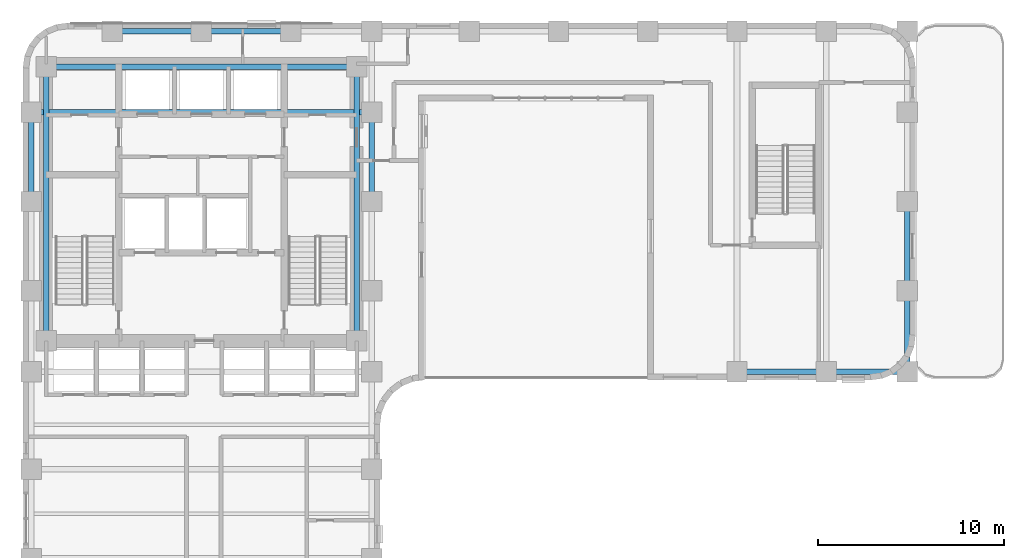
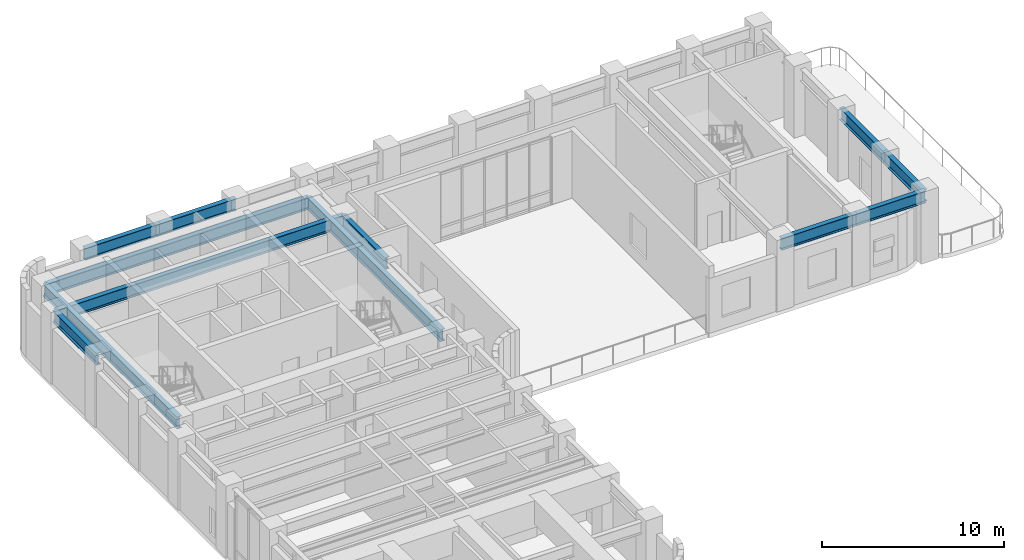
# One storey, part 3 of 12: 12 beams.
"""IFC4 building model written with IfcOpenShell, lengths in metres."""

from ifc_helpers import new_model, si_unit, direction, frame, origin, origin_2d, place, context, subcontext, project, spatial, i_section, extrude, material, material_profile, profile_set, type_object, element, save


model = new_model("IFC4")

# Units and contexts
model_context = context("Model", 3, precision=1e-05, world=origin(), true_north=direction((0.0, 1.0)))
body_context = subcontext(model_context, "Body", "Model", "MODEL_VIEW")
ifc_project = project(units=[si_unit("LENGTHUNIT", "METRE"), si_unit("AREAUNIT", "SQUARE_METRE"), si_unit("VOLUMEUNIT", "CUBIC_METRE"), si_unit("PLANEANGLEUNIT", "RADIAN"), si_unit("MASSUNIT", "GRAM", prefix="KILO")], contexts=[model_context])

# Site, building, storey
site_placement = place(None, origin())
site = spatial("IfcSite", under=ifc_project, at=site_placement, CompositionType="ELEMENT")
building_placement = place(site_placement, origin())
building = spatial("IfcBuilding", under=site, at=building_placement, Name="Orvandelia Arch Residences", CompositionType="ELEMENT")
storey_placement = place(building_placement, frame((0.0, 0.0, 97.0)))
storey = spatial("IfcBuildingStorey", under=building, at=storey_placement, Name="L25", CompositionType="ELEMENT", Elevation=97.0)

# Beams
ifc_material = material(Name="Structural Steel SM355 (355 MPa)", Category="steel")
ifc_material_profile = material_profile(ifc_material, i_section(OverallWidth=0.300048828125, OverallDepth=0.800048828125, WebThickness=0.013916015625, FlangeThickness=0.02587890625, FilletRadius=0.02587890625, at=origin_2d()), Name="Structural Steel SM355 (355 MPa)", Category="steel")
ifc_profile_set = profile_set([ifc_material_profile], Name="Structural Steel SM355 (355 MPa)")
beam_type = type_object("IfcBeamType", Name="BM-GRD-H800", PredefinedType="BEAM", material=ifc_profile_set)
beam_1_placement = place(storey_placement, frame((5.25, 38.39990234375, 4.10009765625), z_axis=(0.0, 1.0, 0.0), x_axis=(-1.0, 0.0, 0.0)))
element("IfcBeam", 1, at=beam_1_placement, inside=storey, type_object=beam_type, Name="Structural Frame Beam L25-NS-007", PredefinedType="BEAM", context=body_context, shape_type="SweptSolid", body=[
    extrude(i_section(OverallWidth=0.300048828125, OverallDepth=0.800048828125, WebThickness=0.013916015625, FlangeThickness=0.02587890625, FilletRadius=0.02587890625, at=origin_2d()), origin(), (0.0, 0.0, 1.0), 4.800048828125),
])
for number, where, z_axis, x_axis, name in (
    (2, (6.050048828125, 30.89990234375, 4.10009765625), (0.0, 1.0, 0.0), (-1.0, 0.0, 0.0), "Structural Frame Beam L25-NS-008"),
    (3, (22.75, 30.89990234375, 4.10009765625), (0.0, 1.0, 0.0), (-1.0, 0.0, 0.0), "Structural Frame Beam L25-NS-009"),
):
    element("IfcBeam", number, at=place(storey_placement, frame(where, z_axis=z_axis, x_axis=x_axis)), inside=storey, type_object=beam_type, Name=name, PredefinedType="BEAM", context=body_context, shape_type="SweptSolid", body=[
        extrude(i_section(OverallWidth=0.300048828125, OverallDepth=0.800048828125, WebThickness=0.013916015625, FlangeThickness=0.02587890625, FilletRadius=0.02587890625, at=origin_2d()), origin(), (0.0, 0.0, 1.0), 14.75),
    ])
beam_2_placement = place(storey_placement, frame((23.550048828125, 38.39990234375, 4.10009765625), z_axis=(0.0, 1.0, 0.0), x_axis=(-1.0, 0.0, 0.0)))
element("IfcBeam", 4, at=beam_2_placement, inside=storey, type_object=beam_type, Name="Structural Frame Beam L25-NS-016", PredefinedType="BEAM", context=body_context, shape_type="SweptSolid", body=[
    extrude(i_section(OverallWidth=0.300048828125, OverallDepth=0.800048828125, WebThickness=0.013916015625, FlangeThickness=0.02587890625, FilletRadius=0.02587890625, at=origin_2d()), origin(), (0.0, 0.0, 1.0), 4.800048828125),
])
beam_3_placement = place(storey_placement, frame((52.35009765625, 29.25, 4.10009765625), z_axis=(0.0, 1.0, 0.0), x_axis=(-1.0, 0.0, 0.0)))
element("IfcBeam", 5, at=beam_3_placement, inside=storey, type_object=beam_type, Name="Structural Frame Beam L25-NS-020", PredefinedType="BEAM", context=body_context, shape_type="SweptSolid", body=[
    extrude(i_section(OverallWidth=0.300048828125, OverallDepth=0.800048828125, WebThickness=0.013916015625, FlangeThickness=0.02587890625, FilletRadius=0.02587890625, at=origin_2d()), origin(), (0.0, 0.0, 1.0), 4.35009765625),
])
beam_4_placement = place(storey_placement, frame((52.35009765625, 33.60009765625, 4.10009765625), z_axis=(0.0, 1.0, 0.0), x_axis=(-1.0, 0.0, 0.0)))
element("IfcBeam", 6, at=beam_4_placement, inside=storey, type_object=beam_type, Name="Structural Frame Beam L25-NS-021", PredefinedType="BEAM", context=body_context, shape_type="SweptSolid", body=[
    extrude(i_section(OverallWidth=0.300048828125, OverallDepth=0.800048828125, WebThickness=0.013916015625, FlangeThickness=0.02587890625, FilletRadius=0.02587890625, at=origin_2d()), origin(), (0.0, 0.0, 1.0), 4.7998046875),
])
beam_5_placement = place(storey_placement, frame((43.199951171875, 29.25, 4.10009765625), z_axis=(1.0, 0.0, 0.0), x_axis=(0.0, 1.0, 0.0)))
element("IfcBeam", 7, at=beam_5_placement, inside=storey, type_object=beam_type, Name="Structural Frame Girder L25-EW-031", PredefinedType="BEAM", context=body_context, shape_type="SweptSolid", body=[
    extrude(i_section(OverallWidth=0.300048828125, OverallDepth=0.800048828125, WebThickness=0.013916015625, FlangeThickness=0.02587890625, FilletRadius=0.02587890625, at=origin_2d()), origin(), (0.0, 0.0, 1.0), 4.800048828125),
])
beam_6_placement = place(storey_placement, frame((48.0, 29.25, 4.10009765625), z_axis=(1.0, 0.0, 0.0), x_axis=(0.0, 1.0, 0.0)))
element("IfcBeam", 8, at=beam_6_placement, inside=storey, type_object=beam_type, Name="Structural Frame Girder L25-EW-032", PredefinedType="BEAM", context=body_context, shape_type="SweptSolid", body=[
    extrude(i_section(OverallWidth=0.300048828125, OverallDepth=0.800048828125, WebThickness=0.013916015625, FlangeThickness=0.02587890625, FilletRadius=0.02587890625, at=origin_2d()), origin(), (0.0, 0.0, 1.0), 4.35009765625),
])
beam_7_placement = place(storey_placement, frame((5.25, 43.199951171875, 4.10009765625), z_axis=(1.0, 0.0, 0.0), x_axis=(0.0, 1.0, 0.0)))
element("IfcBeam", 9, at=beam_7_placement, inside=storey, type_object=beam_type, Name="Structural Frame Girder L25-EW-036", PredefinedType="BEAM", context=body_context, shape_type="SweptSolid", body=[
    extrude(i_section(OverallWidth=0.300048828125, OverallDepth=0.800048828125, WebThickness=0.013916015625, FlangeThickness=0.02587890625, FilletRadius=0.02587890625, at=origin_2d()), origin(), (0.0, 0.0, 1.0), 18.300048828125),
])
beam_8_placement = place(storey_placement, frame((6.050048828125, 45.64990234375, 4.10009765625), z_axis=(1.0, 0.0, 0.0), x_axis=(0.0, 1.0, 0.0)))
element("IfcBeam", 10, at=beam_8_placement, inside=storey, type_object=beam_type, Name="Structural Frame Girder L25-EW-037", PredefinedType="BEAM", context=body_context, shape_type="SweptSolid", body=[
    extrude(i_section(OverallWidth=0.300048828125, OverallDepth=0.800048828125, WebThickness=0.013916015625, FlangeThickness=0.02587890625, FilletRadius=0.02587890625, at=origin_2d()), origin(), (0.0, 0.0, 1.0), 16.699951171875),
])
beam_9_placement = place(storey_placement, frame((9.60009765625, 47.550048828125, 4.10009765625), z_axis=(1.0, 0.0, 0.0), x_axis=(0.0, 1.0, 0.0)))
element("IfcBeam", 11, at=beam_9_placement, inside=storey, type_object=beam_type, Name="Structural Frame Girder L25-EW-038", PredefinedType="BEAM", context=body_context, shape_type="SweptSolid", body=[
    extrude(i_section(OverallWidth=0.300048828125, OverallDepth=0.800048828125, WebThickness=0.013916015625, FlangeThickness=0.02587890625, FilletRadius=0.02587890625, at=origin_2d()), origin(), (0.0, 0.0, 1.0), 4.7998046875),
])
beam_10_placement = place(storey_placement, frame((14.39990234375, 47.550048828125, 4.10009765625), z_axis=(1.0, 0.0, 0.0), x_axis=(0.0, 1.0, 0.0)))
element("IfcBeam", 12, at=beam_10_placement, inside=storey, type_object=beam_type, Name="Structural Frame Girder L25-EW-039", PredefinedType="BEAM", context=body_context, shape_type="SweptSolid", body=[
    extrude(i_section(OverallWidth=0.300048828125, OverallDepth=0.800048828125, WebThickness=0.013916015625, FlangeThickness=0.02587890625, FilletRadius=0.02587890625, at=origin_2d()), origin(), (0.0, 0.0, 1.0), 4.800048828125),
])

save(model, "model.ifc")
